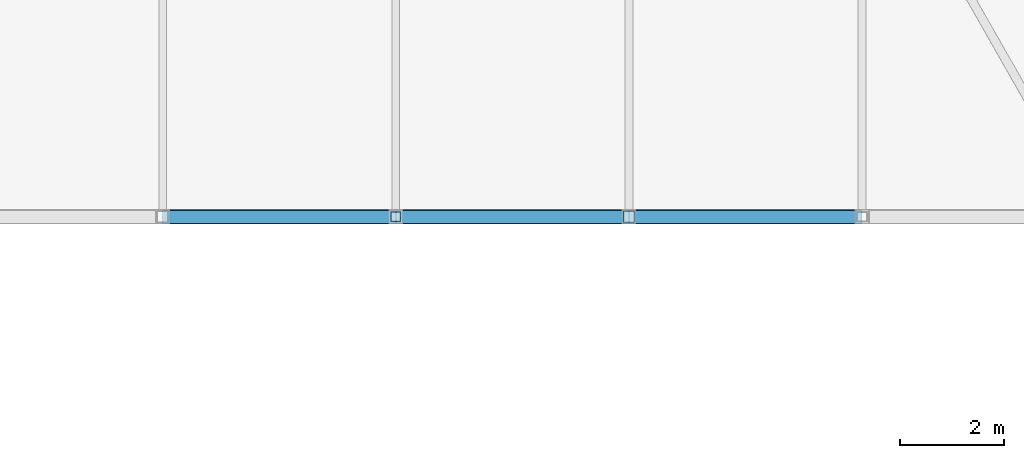
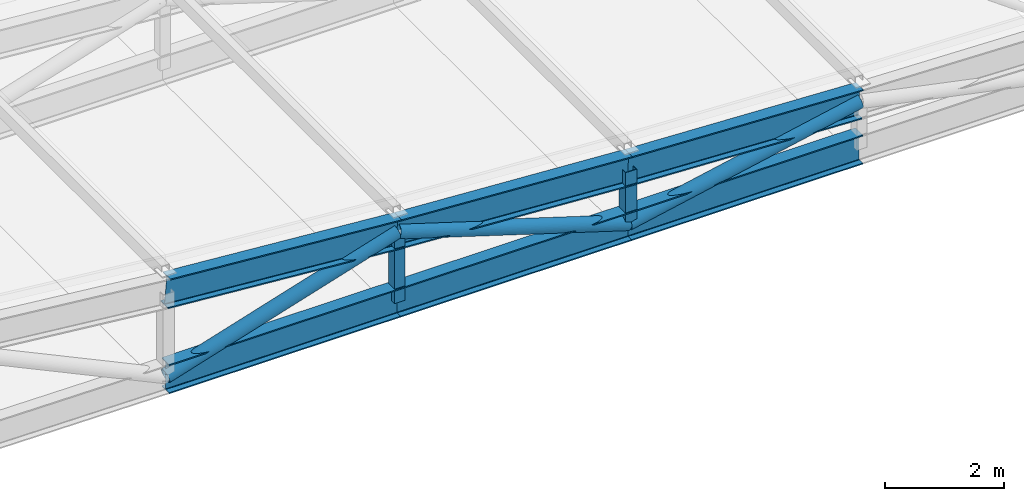
# One storey, part 46 of 114: 6 beams, 5 members.
"""IFC4 building model written with IfcOpenShell, lengths in metres."""

from ifc_helpers import new_model, si_unit, direction, frame, origin, origin_2d, place, context, subcontext, project, spatial, hollow_rectangle, hollow_circle, i_section, extrude, material, material_profile, profile_set, type_object, element, save


model = new_model("IFC4")

# Units and contexts
model_context = context("Model", 3, precision=1e-05, world=origin(), true_north=direction((0.0, 1.0)))
body_context = subcontext(model_context, "Body", "Model", "MODEL_VIEW")
ifc_project = project(units=[si_unit("LENGTHUNIT", "METRE"), si_unit("AREAUNIT", "SQUARE_METRE"), si_unit("VOLUMEUNIT", "CUBIC_METRE"), si_unit("PLANEANGLEUNIT", "RADIAN"), si_unit("MASSUNIT", "GRAM", prefix="KILO"), si_unit("THERMODYNAMICTEMPERATUREUNIT", "KELVIN"), si_unit("POWERUNIT", "WATT")], contexts=[model_context])

# Site, building, storey
site_placement = place(None, origin())
site = spatial("IfcSite", under=ifc_project, at=site_placement, CompositionType="ELEMENT")
building_placement = place(site_placement, origin())
building = spatial("IfcBuilding", under=site, at=building_placement, Name="Sindhuravela Promenade Stadium", CompositionType="ELEMENT")
storey_placement = place(building_placement, frame((0.0, 0.0, 24.0)))
storey = spatial("IfcBuildingStorey", under=building, at=storey_placement, Name="L05", CompositionType="ELEMENT", Elevation=24.0)

# Beams
ifc_material = material(Name="Steel E350 (IS 2062 E350BR)", Category="steel")
ifc_material_profile_1 = material_profile(ifc_material, i_section(OverallWidth=0.25, OverallDepth=0.60009765625, WebThickness=0.01171875, FlangeThickness=0.023681640625, FilletRadius=0.01708984375, at=origin_2d()), Name="ISWB 600")
ifc_profile_set_1 = profile_set([ifc_material_profile_1], Name="Steel E350 (IS 2062 E350BR)")
beam_type = type_object("IfcBeamType", Name="ST-BM-WB600", PredefinedType="USERDEFINED", material=ifc_profile_set_1)
beam_1_placement = place(storey_placement, frame((193.5, 37.10009765625, 0.9306640625), z_axis=(-0.9990310406412204, 0.0, 0.04401113308380376), x_axis=(0.0, -1.0, 0.0)))
element("IfcBeam", 1, at=beam_1_placement, inside=storey, type_object=beam_type, Name="Roof truss RT-E01 top chord 2", ObjectType="ROOF TRUSS", PredefinedType="USERDEFINED", context=body_context, shape_type="SweptSolid", body=[
    extrude(i_section(OverallWidth=0.25, OverallDepth=0.60009765625, WebThickness=0.01171875, FlangeThickness=0.023681640625, FilletRadius=0.01708984375, at=origin_2d()), origin(), (0.0, 0.0, 1.0), 4.50439453125),
])
beam_2_placement = place(storey_placement, frame((193.5, 37.10009765625, 0.0), z_axis=(-1.0, 0.0, 0.0), x_axis=(0.0, -1.0, 0.0)))
element("IfcBeam", 2, at=beam_2_placement, inside=storey, type_object=beam_type, Name="Roof truss RT-E01 bottom chord 2", ObjectType="ROOF TRUSS", PredefinedType="USERDEFINED", context=body_context, shape_type="SweptSolid", body=[
    extrude(i_section(OverallWidth=0.25, OverallDepth=0.60009765625, WebThickness=0.01171875, FlangeThickness=0.023681640625, FilletRadius=0.01708984375, at=origin_2d()), origin(), (0.0, 0.0, 1.0), 4.5),
])
beam_3_placement = place(storey_placement, frame((189.0, 37.10009765625, 1.12890625), z_axis=(-0.9981720622420935, 0.0, 0.06043619908106426), x_axis=(0.0, -1.0, 0.0)))
element("IfcBeam", 3, at=beam_3_placement, inside=storey, type_object=beam_type, Name="Roof truss RT-E01 top chord 3", ObjectType="ROOF TRUSS", PredefinedType="USERDEFINED", context=body_context, shape_type="SweptSolid", body=[
    extrude(i_section(OverallWidth=0.25, OverallDepth=0.60009765625, WebThickness=0.01171875, FlangeThickness=0.023681640625, FilletRadius=0.01708984375, at=origin_2d()), origin(), (0.0, 0.0, 1.0), 4.50830078125),
])
beam_4_placement = place(storey_placement, frame((189.0, 37.10009765625, 0.0), z_axis=(-1.0, 0.0, 0.0), x_axis=(0.0, -1.0, 0.0)))
element("IfcBeam", 4, at=beam_4_placement, inside=storey, type_object=beam_type, Name="Roof truss RT-E01 bottom chord 3", ObjectType="ROOF TRUSS", PredefinedType="USERDEFINED", context=body_context, shape_type="SweptSolid", body=[
    extrude(i_section(OverallWidth=0.25, OverallDepth=0.60009765625, WebThickness=0.01171875, FlangeThickness=0.023681640625, FilletRadius=0.01708984375, at=origin_2d()), origin(), (0.0, 0.0, 1.0), 4.5),
])
beam_5_placement = place(storey_placement, frame((184.5, 37.10009765625, 1.4013671875), z_axis=(-0.9968775679455489, 0.0, 0.07896274138457582), x_axis=(0.0, -1.0, 0.0)))
element("IfcBeam", 5, at=beam_5_placement, inside=storey, type_object=beam_type, Name="Roof truss RT-E01 top chord 4", ObjectType="ROOF TRUSS", PredefinedType="USERDEFINED", context=body_context, shape_type="SweptSolid", body=[
    extrude(i_section(OverallWidth=0.25, OverallDepth=0.60009765625, WebThickness=0.01171875, FlangeThickness=0.023681640625, FilletRadius=0.01708984375, at=origin_2d()), origin(), (0.0, 0.0, 1.0), 4.51416015625),
])
beam_6_placement = place(storey_placement, frame((184.5, 37.10009765625, 0.0), z_axis=(-1.0, 0.0, 0.0), x_axis=(0.0, -1.0, 0.0)))
element("IfcBeam", 6, at=beam_6_placement, inside=storey, type_object=beam_type, Name="Roof truss RT-E01 bottom chord 4", ObjectType="ROOF TRUSS", PredefinedType="USERDEFINED", context=body_context, shape_type="SweptSolid", body=[
    extrude(i_section(OverallWidth=0.25, OverallDepth=0.60009765625, WebThickness=0.01171875, FlangeThickness=0.023681640625, FilletRadius=0.01708984375, at=origin_2d()), origin(), (0.0, 0.0, 1.0), 4.5),
])

# Members
ifc_material_profile_2 = material_profile(ifc_material, hollow_circle(Radius=0.136474609375, WallThickness=0.010009765625, at=origin_2d()), Name="CHS 273.0x10")
ifc_profile_set_2 = profile_set([ifc_material_profile_2], Name="Steel E350 (IS 2062 E350BR)")
member_type_1 = type_object("IfcMemberType", Name="ST-MB-CHS273", PredefinedType="BRACE", material=ifc_profile_set_2)
member_1_placement = place(storey_placement, frame((193.5, 37.10009765625, 0.9306640625), z_axis=(-0.9792764097222669, 0.0, -0.2025283026183421), x_axis=(0.0, -1.0, 0.0)))
element("IfcMember", 7, at=member_1_placement, inside=storey, type_object=member_type_1, Name="Roof truss RT-E01 diagonal web 2", PredefinedType="BRACE", context=body_context, shape_type="SweptSolid", body=[
    extrude(hollow_circle(Radius=0.136474609375, WallThickness=0.010009765625, at=origin_2d()), origin(), (0.0, 0.0, 1.0), 4.59521484375),
])
for number, where, z_axis, x_axis, name in (
    (8, (189.0, 37.10009765625, 0.0), (-0.9547744570376746, 0.0, 0.2973310212346057), (0.0, -1.0, 0.0), "Roof truss RT-E01 diagonal web 3"),
    (9, (184.5, 37.10009765625, 1.4013671875), (-0.9547744570376746, 0.0, -0.2973310212346057), (0.0, -1.0, 0.0), "Roof truss RT-E01 diagonal web 4"),
):
    element("IfcMember", number, at=place(storey_placement, frame(where, z_axis=z_axis, x_axis=x_axis)), inside=storey, type_object=member_type_1, Name=name, PredefinedType="BRACE", context=body_context, shape_type="SweptSolid", body=[
        extrude(hollow_circle(Radius=0.136474609375, WallThickness=0.010009765625, at=origin_2d()), origin(), (0.0, 0.0, 1.0), 4.713134765625),
    ])
ifc_material_profile_3 = material_profile(ifc_material, hollow_rectangle(XDim=0.199951171875, YDim=0.199951171875, WallThickness=0.010009765625, at=origin_2d()), Name="SHS 200x200x10")
ifc_profile_set_3 = profile_set([ifc_material_profile_3], Name="Steel E350 (IS 2062 E350BR)")
member_type_2 = type_object("IfcMemberType", Name="ST-MB-SHS200", PredefinedType="POST", material=ifc_profile_set_3)
member_2_placement = place(storey_placement, frame((184.5, 37.10009765625, 0.0), z_axis=(0.0, 0.0, 1.0), x_axis=(1.0, 0.0, 0.0)))
element("IfcMember", 10, at=member_2_placement, inside=storey, type_object=member_type_2, Name="Roof truss RT-E01 vertical post 4", PredefinedType="POST", context=body_context, shape_type="SweptSolid", body=[
    extrude(hollow_rectangle(XDim=0.199951171875, YDim=0.199951171875, WallThickness=0.010009765625, at=origin_2d()), origin(), (0.0, 0.0, 1.0), 1.4013671875),
])
ifc_material_profile_4 = material_profile(ifc_material, hollow_rectangle(XDim=0.219970703125, YDim=0.219970703125, WallThickness=0.011962890625, at=origin_2d()), Name="SHS 220x220x12")
ifc_profile_set_4 = profile_set([ifc_material_profile_4], Name="Steel E350 (IS 2062 E350BR)")
member_type_3 = type_object("IfcMemberType", Name="ST-MB-SHS220", PredefinedType="POST", material=ifc_profile_set_4)
member_3_placement = place(storey_placement, frame((189.0, 37.10009765625, 0.0), z_axis=(0.0, 0.0, 1.0), x_axis=(1.0, 0.0, 0.0)))
element("IfcMember", 11, at=member_3_placement, inside=storey, type_object=member_type_3, Name="Roof truss RT-E01 vertical post 3", PredefinedType="POST", context=body_context, shape_type="SweptSolid", body=[
    extrude(hollow_rectangle(XDim=0.219970703125, YDim=0.219970703125, WallThickness=0.011962890625, at=origin_2d()), origin(), (0.0, 0.0, 1.0), 1.12890625),
])

save(model, "model.ifc")
